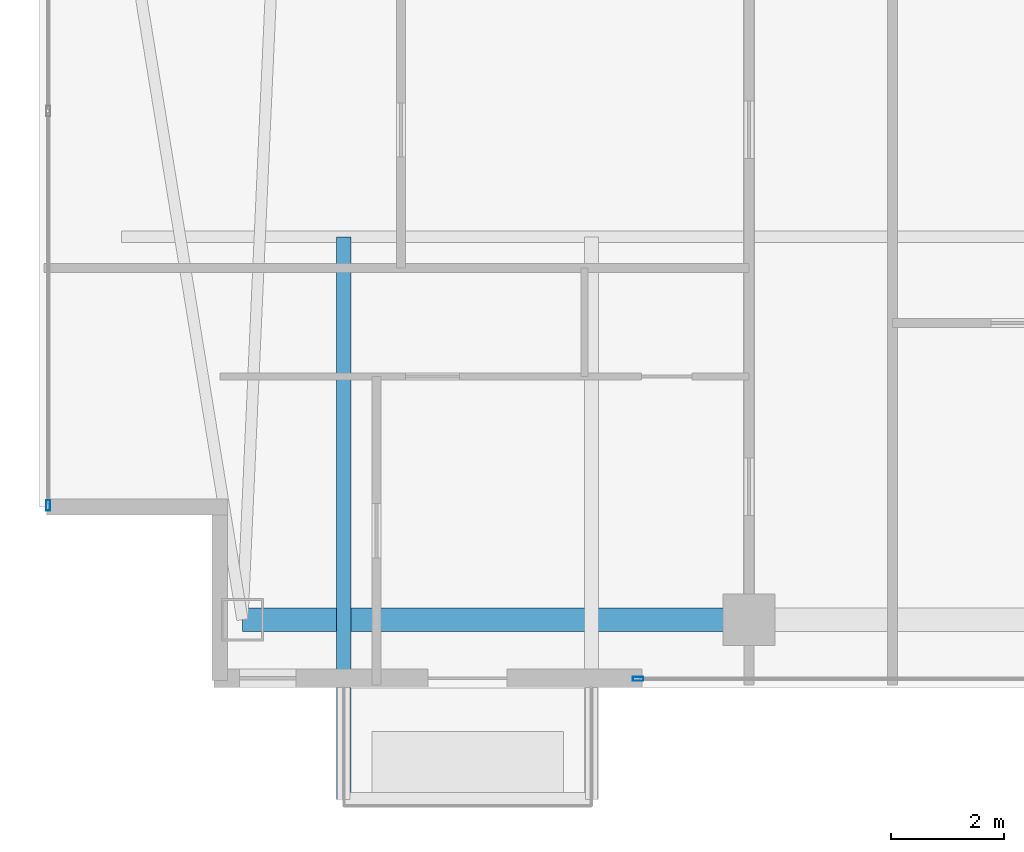
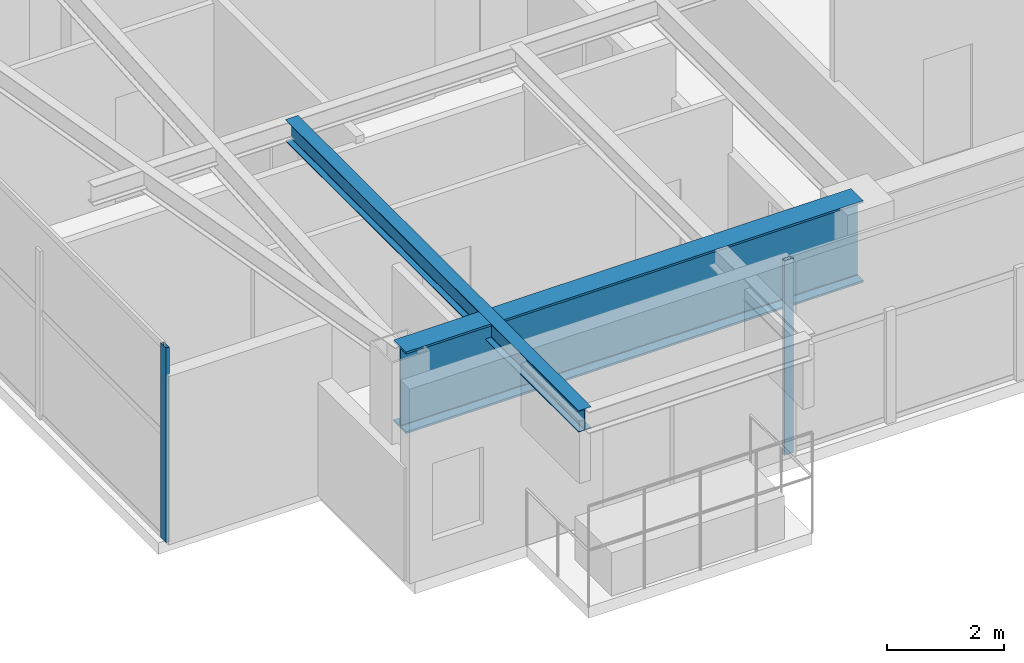
# One storey, part 2 of 27: 2 beams, 2 members, 2 elements without a shape of their own.
"""IFC4 building model written with IfcOpenShell, lengths in metres."""

from ifc_helpers import new_model, si_unit, direction, frame, origin, origin_2d, place, context, subcontext, project, spatial, hollow_rectangle, i_section, extrude, material, layer, layer_set, material_profile, profile_set, type_object, element, aggregate, save


model = new_model("IFC4")

# Units and contexts
model_context = context("Model", 3, precision=1e-05, world=origin(), true_north=direction((0.0, 1.0)))
body_context = subcontext(model_context, "Body", "Model", "MODEL_VIEW")
ifc_project = project(units=[si_unit("LENGTHUNIT", "METRE"), si_unit("AREAUNIT", "SQUARE_METRE"), si_unit("VOLUMEUNIT", "CUBIC_METRE"), si_unit("PLANEANGLEUNIT", "RADIAN"), si_unit("MASSUNIT", "GRAM", prefix="KILO")], contexts=[model_context])

# Site, building, storey
site_placement = place(None, origin())
site = spatial("IfcSite", under=ifc_project, at=site_placement, CompositionType="ELEMENT")
building_placement = place(site_placement, origin())
building = spatial("IfcBuilding", under=site, at=building_placement, Name="Calvorn Quay Hotel", CompositionType="ELEMENT")
storey_placement = place(building_placement, frame((0.0, 0.0, 239.300048828125)))
storey = spatial("IfcBuildingStorey", under=building, at=storey_placement, Name="L59", CompositionType="ELEMENT", Elevation=239.300048828125)

# Beams
ifc_material_1 = material(Name="Steel Q355B", Category="steel")
ifc_material_profile_1 = material_profile(ifc_material_1, i_section(OverallWidth=0.25, OverallDepth=0.449951171875, WebThickness=0.011962890625, FlangeThickness=0.01611328125, FilletRadius=0.01611328125, at=origin_2d()), Name="HN450x250x12x16")
ifc_profile_set_1 = profile_set([ifc_material_profile_1], Name="Steel Q355B")
beam_type_1 = type_object("IfcBeamType", Name="BM-CANT-BALC", PredefinedType="BEAM", material=ifc_profile_set_1)
beam_1_placement = place(storey_placement, frame((5.39990234375, 10.39990234375, 3.824951171875), z_axis=(0.0, -1.0, 0.0), x_axis=(1.0, 0.0, 0.0)))
element("IfcBeam", 1, at=beam_1_placement, inside=storey, type_object=beam_type_1, Name="Cantilever Balcony Beam BCB-L60-1A", PredefinedType="BEAM", context=body_context, shape_type="SweptSolid", body=[
    extrude(i_section(OverallWidth=0.25, OverallDepth=0.449951171875, WebThickness=0.011962890625, FlangeThickness=0.01611328125, FilletRadius=0.01611328125, at=origin_2d()), origin(), (0.0, 0.0, 1.0), 9.989990234375),
])
ifc_material_2 = material(Name="Steel Q420GJC", Category="steel")
ifc_material_profile_2 = material_profile(ifc_material_2, i_section(OverallWidth=0.419921875, OverallDepth=1.699951171875, WebThickness=0.02392578125, FlangeThickness=0.0419921875, FilletRadius=0.02392578125, at=origin_2d()), Name="HN1700x420x24x42")
ifc_profile_set_2 = profile_set([ifc_material_profile_2], Name="Steel Q420GJC")
beam_type_2 = type_object("IfcBeamType", Name="BM-XFER-SAWTOOTH", PredefinedType="BEAM", material=ifc_profile_set_2)
beam_2_placement = place(storey_placement, frame((3.60009765625, 3.60009765625, 3.199951171875), z_axis=(1.0, 0.0, 0.0), x_axis=(0.0, 1.0, 0.0)))
element("IfcBeam", 2, at=beam_2_placement, inside=storey, type_object=beam_type_2, Name="Beam BSP-L59-S1", PredefinedType="BEAM", context=body_context, shape_type="SweptSolid", body=[
    extrude(i_section(OverallWidth=0.419921875, OverallDepth=1.699951171875, WebThickness=0.02392578125, FlangeThickness=0.0419921875, FilletRadius=0.02392578125, at=origin_2d()), origin(), (0.0, 0.0, 1.0), 9.0),
])

# Curtain wall, member
ifc_material_3 = material(Name="Champagne Bronze Anodised Aluminium and Low-E Glass", Category="aluminium")
ifc_layer = layer(ifc_material_3, 0.219970703125)
ifc_layer_set = layer_set([ifc_layer], Name="CW-SYS-Z3")
curtain_wall_type = type_object("IfcCurtainWallType", Name="CW-SYS-Z3", PredefinedType="NOTDEFINED", material=ifc_layer_set)
curtain_wall_1_placement = place(storey_placement, origin())
curtain_wall_1 = element("IfcCurtainWall", 3, at=curtain_wall_1_placement, inside=storey, type_object=curtain_wall_type, Name="Tower West Curtain Wall (L59)", PredefinedType="NOTDEFINED")
ifc_material_4 = material(Name="Champagne Bronze Anodised Aluminium 6063-T6", Category="aluminium")
ifc_material_profile_3 = material_profile(ifc_material_4, hollow_rectangle(XDim=0.068115234375, YDim=0.18505859375, WallThickness=0.00390625, at=origin_2d()), Name="ALU-M185x68x4")
ifc_profile_set_3 = profile_set([ifc_material_profile_3], Name="Champagne Bronze Anodised Aluminium 6063-T6")
member_type = type_object("IfcMemberType", Name="CW-SYS-Z3-MUL", PredefinedType="MULLION", material=ifc_profile_set_3)
member_1_placement = place(storey_placement, frame((0.14990234375, 5.6298828125, 0.0), z_axis=(0.0, 0.0, 1.0), x_axis=(-1.0, 0.0, 0.0)))
member_1 = element("IfcMember", 4, at=member_1_placement, type_object=member_type, Name="CW-L59-W mullion 1", PredefinedType="MULLION", context=body_context, shape_type="SweptSolid", body=[
    extrude(hollow_rectangle(XDim=0.068115234375, YDim=0.18505859375, WallThickness=0.00390625, at=origin_2d()), origin(), (0.0, 0.0, 1.0), 4.050048828125),
])
aggregate(curtain_wall_1, [member_1])

curtain_wall_2_placement = place(storey_placement, origin())
curtain_wall_2 = element("IfcCurtainWall", 5, at=curtain_wall_2_placement, inside=storey, type_object=curtain_wall_type, Name="Tower South Waterfront Curtain Wall (L59)", PredefinedType="NOTDEFINED")
member_2_placement = place(storey_placement, frame((10.6298828125, 2.550048828125, 0.0), z_axis=(0.0, 0.0, 1.0), x_axis=(0.0, 1.0, 0.0)))
member_2 = element("IfcMember", 6, at=member_2_placement, type_object=member_type, Name="CW-L59-S mullion 1", PredefinedType="MULLION", context=body_context, shape_type="SweptSolid", body=[
    extrude(hollow_rectangle(XDim=0.068115234375, YDim=0.18505859375, WallThickness=0.00390625, at=origin_2d()), origin(), (0.0, 0.0, 1.0), 4.050048828125),
])
aggregate(curtain_wall_2, [member_2])

save(model, "model.ifc")
